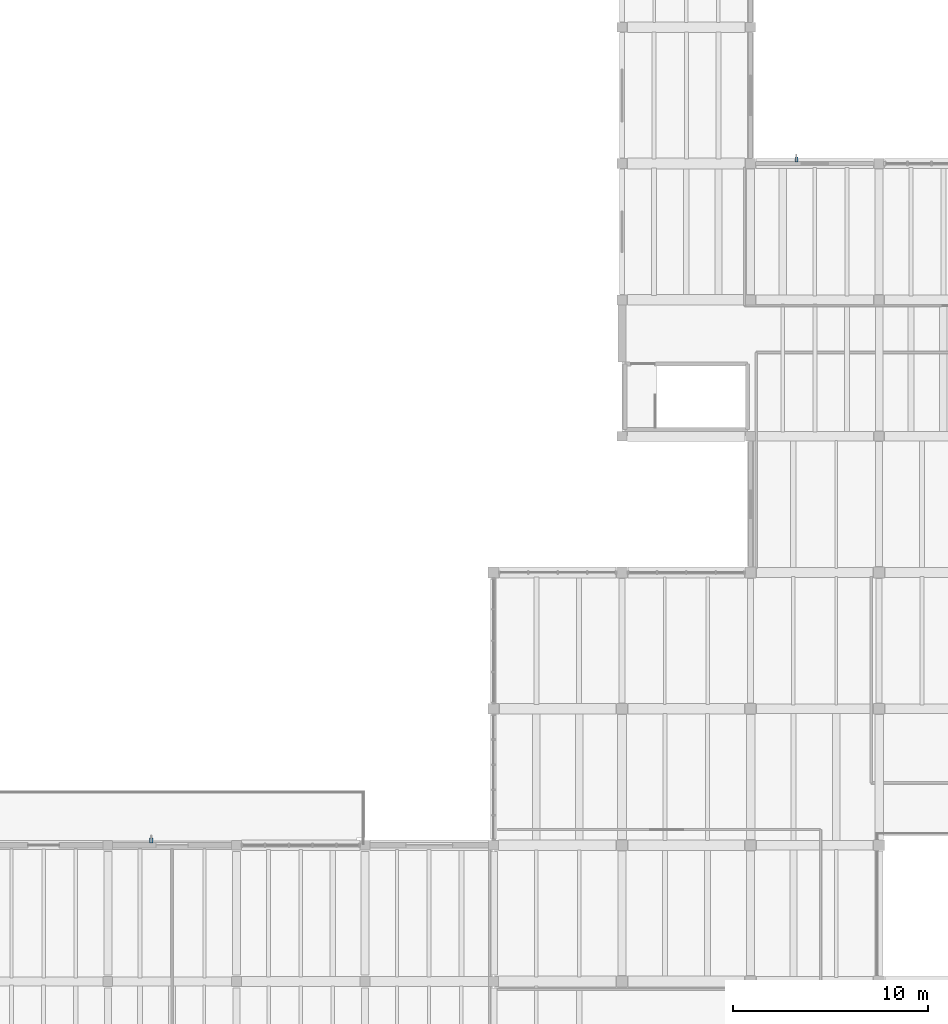
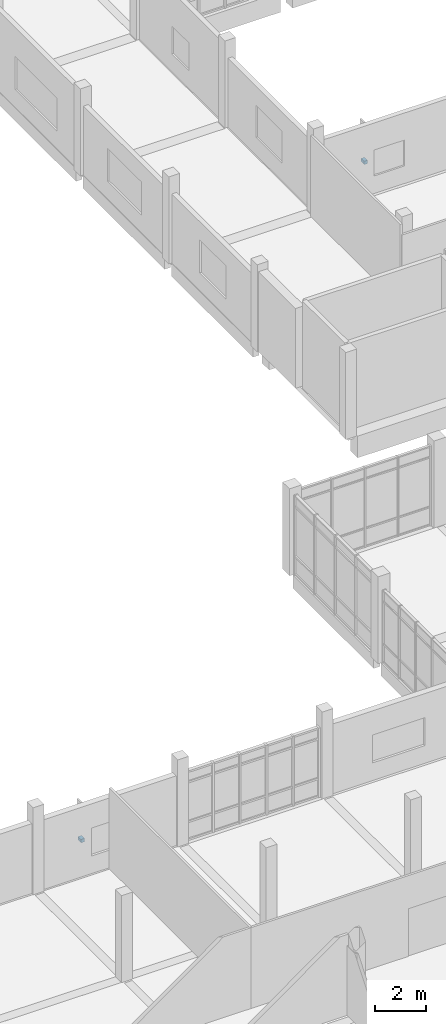
# One storey, part 55 of 65: 2 discrete accessories.
"""IFC4 building model written with IfcOpenShell, lengths in metres."""

import ifcopenshell
import ifcopenshell.guid

model = None  # the IFC model being written
_history = None  # IfcOwnerHistory: only IFC2X3 demands one
_inside = {}  # id of a spatial element -> (the spatial element, [elements in it])
_under = {}  # id of a project, library or spatial element -> (it, [spatial elements below it])
_declared = {}  # id of a project -> (the project, [libraries it declares])
_typed = {}  # id of a type object -> (the type object, [elements of that type])
_made_of = {}  # id of a material, layer set ... -> (it, [elements and type objects made of it])


def new_model(schema):
    """Start an empty IFC model of exactly this schema.

    Asked for "IFC4X3", IfcOpenShell would pick the latest addendum, in which some entities
    have other attributes; the version numbers below select the first issue.
    IFC2X3 requires an IfcOwnerHistory on every rooted entity: one is made here for all.
    """
    global model, _history
    if schema == "IFC4X3":
        model = ifcopenshell.file(schema_version=(4, 3, 0, 0))
    else:
        model = ifcopenshell.file(schema=schema)
    _inside.clear()
    _under.clear()
    _declared.clear()
    _typed.clear()
    _made_of.clear()
    _history = None
    if model.schema == "IFC2X3":
        org = make("IfcOrganization", Name="unknown")
        user = make(
            "IfcPersonAndOrganization",
            ThePerson=make("IfcPerson", FamilyName="unknown"),
            TheOrganization=org,
        )
        app = make(
            "IfcApplication",
            ApplicationDeveloper=org,
            Version="unknown",
            ApplicationFullName="unknown",
            ApplicationIdentifier="unknown",
        )
        _history = make(
            "IfcOwnerHistory",
            OwningUser=user,
            OwningApplication=app,
            ChangeAction="ADDED",
            CreationDate=0,
        )
    return model


def make(cls, **values):
    """One entity of the class cls with the attributes given. An attribute that is None is left unset."""
    return model.create_entity(
        cls, **{name: value for name, value in values.items() if value is not None}
    )


def rooted(cls, **values):
    """An entity with a GlobalId (a new one), such as an element, a storey or a relation."""
    return make(cls, GlobalId=ifcopenshell.guid.new(), OwnerHistory=_history, **values)


def si_unit(unit_type, name, prefix=None):
    """IfcSIUnit, for example si_unit("LENGTHUNIT", "METRE", prefix="MILLI")."""
    return make("IfcSIUnit", UnitType=unit_type, Prefix=prefix, Name=name)


def assignment(units):
    """IfcUnitAssignment: the units of a project."""
    return None if units is None else make("IfcUnitAssignment", Units=units)


def point(xyz):
    """IfcCartesianPoint."""
    return None if xyz is None else make("IfcCartesianPoint", Coordinates=xyz)


def direction(xyz):
    """IfcDirection."""
    return None if xyz is None else make("IfcDirection", DirectionRatios=xyz)


def frame(location, z_axis=None, x_axis=None):
    """IfcAxis2Placement3D, a coordinate frame: its origin and axes. An axis left out is left unset."""
    return make(
        "IfcAxis2Placement3D",
        Location=point(location),
        Axis=direction(z_axis),
        RefDirection=direction(x_axis),
    )


def frame_2d(location, x_axis=None):
    """IfcAxis2Placement2D, a coordinate frame in the plane: its origin and x axis."""
    return make(
        "IfcAxis2Placement2D", Location=point(location), RefDirection=direction(x_axis)
    )


def origin():
    """The frame at (0, 0, 0) with its axes left unset."""
    return frame((0.0, 0.0, 0.0))


def origin_2d():
    """The frame at (0, 0) in the plane with its x axis left unset."""
    return frame_2d((0.0, 0.0))


def place(relative_to, where):
    """IfcLocalPlacement: puts the frame where relative to a parent placement (None: the world)."""
    return make(
        "IfcLocalPlacement", PlacementRelTo=relative_to, RelativePlacement=where
    )


def context(
    kind, dimensions, precision=None, world=None, true_north=None, identifier=None
):
    """IfcGeometricRepresentationContext, for example the 3D "Model" context."""
    return make(
        "IfcGeometricRepresentationContext",
        ContextIdentifier=identifier,
        ContextType=kind,
        CoordinateSpaceDimension=dimensions,
        Precision=precision,
        WorldCoordinateSystem=world,
        TrueNorth=true_north,
    )


def subcontext(parent, identifier, kind, view, scale=None):
    """IfcGeometricRepresentationSubContext, for example "Body" below "Model"."""
    return make(
        "IfcGeometricRepresentationSubContext",
        ContextIdentifier=identifier,
        ContextType=kind,
        ParentContext=parent,
        TargetScale=scale,
        TargetView=view,
    )


def project(units=None, contexts=None):
    """IfcProject with its units and contexts."""
    return rooted(
        "IfcProject",
        Name="project",
        RepresentationContexts=contexts,
        UnitsInContext=assignment(units),
    )


def spatial(cls, under=None, at=None, **own):
    """A site, building, storey or space (cls), placed at a placement, below another one or the project."""
    s = rooted(cls, ObjectPlacement=at, **own)
    if under is not None:
        _under.setdefault(under.id(), (under, []))[1].append(s)
    return s


def profile(cls, at=None, kind="AREA", **sizes):
    """A parametric profile (cls). Its sizes go by their IFC names, for example OverallWidth=200.0."""
    return make(cls, ProfileType=kind, Position=at, **sizes)


def rectangle(**sizes):
    """IfcRectangleProfileDef."""
    return profile("IfcRectangleProfileDef", **sizes)


def extrude(swept, where, along, depth):
    """IfcExtrudedAreaSolid: the profile swept, set in the frame where, extruded along a direction by depth."""
    return make(
        "IfcExtrudedAreaSolid",
        SweptArea=swept,
        Position=where,
        ExtrudedDirection=direction(along),
        Depth=depth,
    )


def shape(context_of_items, identifier, shape_type, items):
    """IfcShapeRepresentation: the items that make up one representation, for example the "Body"."""
    return make(
        "IfcShapeRepresentation",
        ContextOfItems=context_of_items,
        RepresentationIdentifier=identifier,
        RepresentationType=shape_type,
        Items=items,
    )


def material(Name=None, Category=None):
    """IfcMaterial."""
    return make("IfcMaterial", Name=Name, Category=Category)


def made_of(thing, what):
    """Note that an element or type object is made of a material, layer set ...; save() writes the relation."""
    if what is not None:
        _made_of.setdefault(what.id(), (what, []))[1].append(thing)
    return thing


def type_object(cls, material=None, **own):
    """A type object (cls), such as IfcWallType, which elements share."""
    return made_of(rooted(cls, **own), material)


def element(
    cls,
    number,
    at=None,
    inside=None,
    cuts=None,
    type_object=None,
    material=None,
    context=None,
    identifier="Body",
    shape_type=None,
    held_by="IfcProductDefinitionShape",
    body=None,
    shapes=None,
    **own,
):
    """One element of the class cls, such as IfcWall. Its Tag is "e" and its number.

    at: its placement. inside: the storey or other place that contains it. cuts: it is an
    opening in that element (IfcRelVoidsElement). A single representation is given by context,
    identifier, shape_type and body (its items); several are given by shapes. held_by: the class
    of the entity that holds the representations. save() writes the other relations.
    """
    e = rooted(cls, Tag="e%d" % number, ObjectPlacement=at, **own)
    if body is not None:
        shapes = [shape(context, identifier, shape_type, body)]
    if shapes is not None:
        e.Representation = make(held_by, Representations=shapes)
    if inside is not None:
        _inside.setdefault(inside.id(), (inside, []))[1].append(e)
    if cuts is not None:
        rooted(
            "IfcRelVoidsElement", RelatingBuildingElement=cuts, RelatedOpeningElement=e
        )
    if type_object is not None:
        _typed.setdefault(type_object.id(), (type_object, []))[1].append(e)
    return made_of(e, material)


def aggregate(whole, parts):
    """IfcRelAggregates: a whole, such as a stair, and the parts it consists of."""
    return rooted("IfcRelAggregates", RelatingObject=whole, RelatedObjects=parts)


def save(model, path):
    """Write the relations noted so far, then the file.

    IfcRelAggregates (storeys below a building ...), IfcRelContainedInSpatialStructure (elements
    in a storey), IfcRelDefinesByType, IfcRelAssociatesMaterial and IfcRelDeclares: one each for
    every whole, place, type object, material and project.
    """
    for whole, parts in _under.values():
        aggregate(whole, parts)
    for where, things in _inside.values():
        rooted(
            "IfcRelContainedInSpatialStructure",
            RelatedElements=things,
            RelatingStructure=where,
        )
    for kind, things in _typed.values():
        rooted("IfcRelDefinesByType", RelatedObjects=things, RelatingType=kind)
    for what, things in _made_of.values():
        rooted("IfcRelAssociatesMaterial", RelatedObjects=things, RelatingMaterial=what)
    for by, libraries in _declared.values():
        rooted("IfcRelDeclares", RelatingContext=by, RelatedDefinitions=libraries)
    model.write(path)


model = new_model("IFC4")

# Units and contexts
model_context = context("Model", 3, precision=1e-05, world=origin(), true_north=direction((0.0, 1.0)))
body_context = subcontext(model_context, "Body", "Model", "MODEL_VIEW")
ifc_project = project(units=[si_unit("LENGTHUNIT", "METRE"), si_unit("AREAUNIT", "SQUARE_METRE"), si_unit("VOLUMEUNIT", "CUBIC_METRE"), si_unit("PLANEANGLEUNIT", "RADIAN"), si_unit("MASSUNIT", "GRAM", prefix="KILO")], contexts=[model_context])

# Site, building, storey
site_placement = place(None, origin())
site = spatial("IfcSite", under=ifc_project, at=site_placement, CompositionType="ELEMENT")
building_placement = place(site_placement, origin())
building = spatial("IfcBuilding", under=site, at=building_placement, Name="Ciguamira Faculty of Natural Sciences", CompositionType="ELEMENT")
storey_placement = place(building_placement, frame((0.0, 0.0, 12.60009765625)))
storey = spatial("IfcBuildingStorey", under=building, at=storey_placement, Name="L03", CompositionType="ELEMENT", Elevation=12.60009765625)

# Discrete accessories
ifc_material = material(Name="Stainless steel fixing bracket", Category="steel")
discrete_accessory_type = type_object("IfcDiscreteAccessoryType", Name="FacadeBracket_BK01", PredefinedType="BRACKET", material=ifc_material)
for number, where, z_axis, x_axis, name in (
    (1, (33.125, 24.239990234375, 1.44482421875), (0.0, 0.0, 1.0), (1.0, 0.0, 0.0), "L03 sunshade fixing bracket 0023"),
    (2, (66.25, 59.2099609375, 1.39501953125), (0.0, 0.0, 1.0), (1.0, 0.0, 0.0), "L03 sunshade fixing bracket 0024"),
):
    element("IfcDiscreteAccessory", number, at=place(storey_placement, frame(where, z_axis=z_axis, x_axis=x_axis)), inside=storey, type_object=discrete_accessory_type, Name=name, PredefinedType="BRACKET", context=body_context, shape_type="SweptSolid", body=[
        extrude(rectangle(XDim=0.159912109375, YDim=0.239990234375, at=origin_2d()), origin(), (0.0, 0.0, 1.0), 0.159912109375),
    ])

save(model, "model.ifc")
